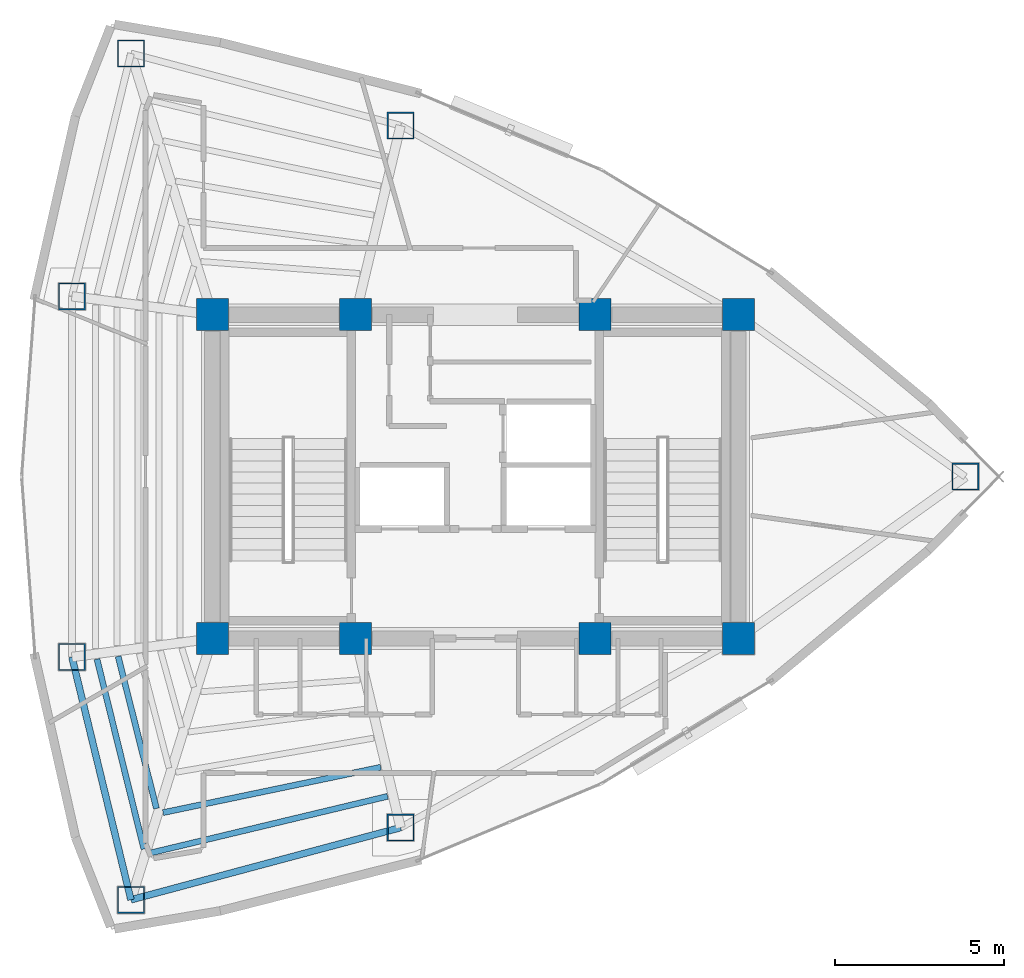
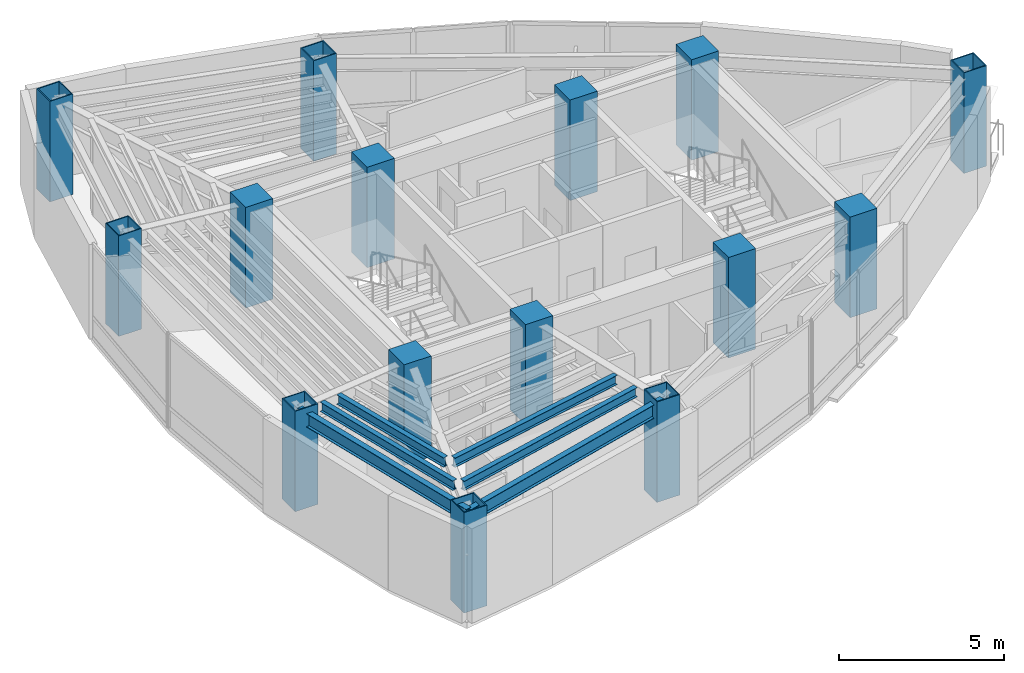
# One storey, part 1 of 15: 15 columns, 6 beams.
"""IFC4 building model written with IfcOpenShell, lengths in metres."""

from ifc_helpers import new_model, si_unit, direction, frame, origin, origin_2d, place, context, subcontext, project, spatial, rectangle, hollow_rectangle, i_section, extrude, material, material_profile, profile_set, type_object, element, save


model = new_model("IFC4")

# Units and contexts
model_context = context("Model", 3, precision=1e-05, world=origin(), true_north=direction((0.0, 1.0)))
body_context = subcontext(model_context, "Body", "Model", "MODEL_VIEW")
ifc_project = project(units=[si_unit("LENGTHUNIT", "METRE"), si_unit("AREAUNIT", "SQUARE_METRE"), si_unit("VOLUMEUNIT", "CUBIC_METRE"), si_unit("PLANEANGLEUNIT", "RADIAN"), si_unit("MASSUNIT", "GRAM", prefix="KILO")], contexts=[model_context])

# Site, building, storey
site_placement = place(None, origin())
site = spatial("IfcSite", under=ifc_project, at=site_placement, CompositionType="ELEMENT")
building_placement = place(site_placement, origin())
building = spatial("IfcBuilding", under=site, at=building_placement, Name="Menara Vayukalpa", CompositionType="ELEMENT")
storey_placement = place(building_placement, frame((0.0, 0.0, 288.06005859375)))
storey = spatial("IfcBuildingStorey", under=building, at=storey_placement, Name="L73", CompositionType="ELEMENT", Elevation=288.06005859375)

# Columns
ifc_material_1 = material(Name="Concrete C60/75", Category="concrete")
ifc_material_profile_1 = material_profile(ifc_material_1, rectangle(XDim=0.949951171875, YDim=0.949951171875, at=origin_2d()), Name="RC 950x950")
ifc_profile_set_1 = profile_set([ifc_material_profile_1], Name="Concrete C60/75")
column_type_1 = type_object("IfcColumnType", Name="COL-CC2", PredefinedType="COLUMN", material=ifc_profile_set_1)
for number, where, z_axis, x_axis, name in (
    (1, (17.800048828125, 17.199951171875, 0.0), (0.0, 0.0, 1.0), (1.0, 0.0, 0.0), "L73 Core Pilaster Column CC1"),
    (2, (22.050048828125, 17.199951171875, 0.0), (0.0, 0.0, 1.0), (1.0, 0.0, 0.0), "L73 Core Pilaster Column CC2"),
    (3, (29.14990234375, 17.199951171875, 0.0), (0.0, 0.0, 1.0), (1.0, 0.0, 0.0), "L73 Core Pilaster Column CC3"),
    (4, (33.39990234375, 17.199951171875, 0.0), (0.0, 0.0, 1.0), (1.0, 0.0, 0.0), "L73 Core Pilaster Column CC4"),
    (5, (17.800048828125, 26.800048828125, 0.0), (0.0, 0.0, 1.0), (1.0, 0.0, 0.0), "L73 Core Pilaster Column CC5"),
    (6, (22.050048828125, 26.800048828125, 0.0), (0.0, 0.0, 1.0), (1.0, 0.0, 0.0), "L73 Core Pilaster Column CC6"),
    (7, (29.14990234375, 26.800048828125, 0.0), (0.0, 0.0, 1.0), (1.0, 0.0, 0.0), "L73 Core Pilaster Column CC7"),
    (8, (33.39990234375, 26.800048828125, 0.0), (0.0, 0.0, 1.0), (1.0, 0.0, 0.0), "L73 Core Pilaster Column CC8"),
):
    element("IfcColumn", number, at=place(storey_placement, frame(where, z_axis=z_axis, x_axis=x_axis)), inside=storey, type_object=column_type_1, Name=name, PredefinedType="COLUMN", context=body_context, shape_type="SweptSolid", body=[
        extrude(rectangle(XDim=0.949951171875, YDim=0.949951171875, at=origin_2d()), origin(), (0.0, 0.0, 1.0), 3.719970703125),
    ])
ifc_material_2 = material(Name="Steel S355", Category="steel")
ifc_material_profile_2 = material_profile(ifc_material_2, hollow_rectangle(XDim=0.800048828125, YDim=0.800048828125, WallThickness=0.034912109375, at=origin_2d()), Name="BOX 800x800x35")
ifc_profile_set_2 = profile_set([ifc_material_profile_2], Name="Steel S355")
column_type_2 = type_object("IfcColumnType", Name="COL-MC5", PredefinedType="COLUMN", material=ifc_profile_set_2)
for number, where, z_axis, x_axis, name in (
    (9, (40.121826171875, 22.0, 0.0), (0.0, 0.0, 1.0), (1.0, 0.0, 0.0), "L73 Perimeter Mega Column P01"),
    (10, (23.3818359375, 32.40478515625, 0.0), (0.0, 0.0, 1.0), (1.0, 0.0, 0.0), "L73 Perimeter Mega Column P03"),
    (11, (15.38916015625, 34.544677734375, 0.0), (0.0, 0.0, 1.0), (1.0, 0.0, 0.0), "L73 Perimeter Mega Column P04"),
    (12, (13.638916015625, 27.3466796875, 0.0), (0.0, 0.0, 1.0), (1.0, 0.0, 0.0), "L73 Perimeter Mega Column P05"),
    (13, (13.638916015625, 16.6533203125, 0.0), (0.0, 0.0, 1.0), (1.0, 0.0, 0.0), "L73 Perimeter Mega Column P06"),
    (14, (15.38916015625, 9.455322265625, 0.0), (0.0, 0.0, 1.0), (1.0, 0.0, 0.0), "L73 Perimeter Mega Column P07"),
    (15, (23.3818359375, 11.59521484375, 0.0), (0.0, 0.0, 1.0), (1.0, 0.0, 0.0), "L73 Perimeter Mega Column P08"),
):
    element("IfcColumn", number, at=place(storey_placement, frame(where, z_axis=z_axis, x_axis=x_axis)), inside=storey, type_object=column_type_2, Name=name, PredefinedType="COLUMN", context=body_context, shape_type="SweptSolid", body=[
        extrude(hollow_rectangle(XDim=0.800048828125, YDim=0.800048828125, WallThickness=0.034912109375, at=origin_2d()), origin(), (0.0, 0.0, 1.0), 3.719970703125),
    ])

# Beams
ifc_material_3 = material(Name="Steel S355", Category="steel")
ifc_material_profile_3 = material_profile(ifc_material_3, i_section(OverallWidth=0.175048828125, OverallDepth=0.35009765625, WebThickness=0.007080078125, FlangeThickness=0.010986328125, at=origin_2d()), Name="WF 350x175x7x11")
ifc_profile_set_3 = profile_set([ifc_material_profile_3], Name="Steel S355")
beam_type_1 = type_object("IfcBeamType", Name="BM-SJ3", PredefinedType="JOIST", material=ifc_profile_set_3)
beam_1_placement = place(storey_placement, frame((15.008544921875, 16.6728515625, 3.324951171875), z_axis=(0.244239657645, -0.969714901212, 0.0), x_axis=(0.969714901212, 0.244239657645, 0.0)))
element("IfcBeam", 16, at=beam_1_placement, inside=storey, type_object=beam_type_1, Name="L73 Secondary Floor Joist SJ06-4", PredefinedType="JOIST", context=body_context, shape_type="SweptSolid", body=[
    extrude(i_section(OverallWidth=0.175048828125, OverallDepth=0.35009765625, WebThickness=0.007080078125, FlangeThickness=0.010986328125, at=origin_2d()), origin(), (0.0, 0.0, 1.0), 4.651123046875),
])
beam_2_placement = place(storey_placement, frame((14.381591796875, 16.590576171875, 3.324951171875), z_axis=(0.239690910211, -0.970849250688, 0.0), x_axis=(0.970849250688, 0.239690910211, 0.0)))
element("IfcBeam", 17, at=beam_2_placement, inside=storey, type_object=beam_type_1, Name="L73 Secondary Floor Joist SJ06-5", PredefinedType="JOIST", context=body_context, shape_type="SweptSolid", body=[
    extrude(i_section(OverallWidth=0.175048828125, OverallDepth=0.35009765625, WebThickness=0.007080078125, FlangeThickness=0.010986328125, at=origin_2d()), origin(), (0.0, 0.0, 1.0), 5.797607421875),
])
beam_3_placement = place(storey_placement, frame((16.340087890625, 12.0400390625, 3.324951171875), z_axis=(0.978940645958, 0.204145075108, 0.0), x_axis=(-0.204145075108, 0.978940645958, 0.0)))
element("IfcBeam", 18, at=beam_3_placement, inside=storey, type_object=beam_type_1, Name="L73 Secondary Floor Joist SJ07-4", PredefinedType="JOIST", context=body_context, shape_type="SweptSolid", body=[
    extrude(i_section(OverallWidth=0.175048828125, OverallDepth=0.35009765625, WebThickness=0.007080078125, FlangeThickness=0.010986328125, at=origin_2d()), origin(), (0.0, 0.0, 1.0), 6.5908203125),
])
beam_4_placement = place(storey_placement, frame((15.96533203125, 10.843505859375, 3.324951171875), z_axis=(0.972633830791, 0.232343347656, 0.0), x_axis=(-0.232343347656, 0.972633830791, 0.0)))
element("IfcBeam", 19, at=beam_4_placement, inside=storey, type_object=beam_type_1, Name="L73 Secondary Floor Joist SJ07-5", PredefinedType="JOIST", context=body_context, shape_type="SweptSolid", body=[
    extrude(i_section(OverallWidth=0.175048828125, OverallDepth=0.35009765625, WebThickness=0.007080078125, FlangeThickness=0.010986328125, at=origin_2d()), origin(), (0.0, 0.0, 1.0), 7.229248046875),
])
ifc_material_4 = material(Name="Steel S355", Category="steel")
ifc_material_profile_4 = material_profile(ifc_material_4, i_section(OverallWidth=0.199951171875, OverallDepth=0.5, WebThickness=0.010009765625, FlangeThickness=0.01611328125, at=origin_2d()), Name="WF 500x200x10x16")
ifc_profile_set_4 = profile_set([ifc_material_profile_4], Name="Steel S355")
beam_type_2 = type_object("IfcBeamType", Name="BM-SP3", PredefinedType="SPANDREL", material=ifc_profile_set_4)
beam_5_placement = place(storey_placement, frame((13.638916015625, 16.6533203125, 3.25), z_axis=(0.236272525754, -0.97168682896, 0.0), x_axis=(0.97168682896, 0.236272525754, 0.0)))
element("IfcBeam", 20, at=beam_5_placement, inside=storey, type_object=beam_type_2, Name="L73 Perimeter Spandrel Beam SP06", PredefinedType="SPANDREL", context=body_context, shape_type="SweptSolid", body=[
    extrude(i_section(OverallWidth=0.199951171875, OverallDepth=0.5, WebThickness=0.010009765625, FlangeThickness=0.01611328125, at=origin_2d()), origin(), (0.0, 0.0, 1.0), 7.40771484375),
])
beam_6_placement = place(storey_placement, frame((15.38916015625, 9.455322265625, 3.25), z_axis=(0.965978332552, 0.258623009494, 0.0), x_axis=(-0.258623009494, 0.965978332552, 0.0)))
element("IfcBeam", 21, at=beam_6_placement, inside=storey, type_object=beam_type_2, Name="L73 Perimeter Spandrel Beam SP07", PredefinedType="SPANDREL", context=body_context, shape_type="SweptSolid", body=[
    extrude(i_section(OverallWidth=0.199951171875, OverallDepth=0.5, WebThickness=0.010009765625, FlangeThickness=0.01611328125, at=origin_2d()), origin(), (0.0, 0.0, 1.0), 8.274169921875),
])

save(model, "model.ifc")
